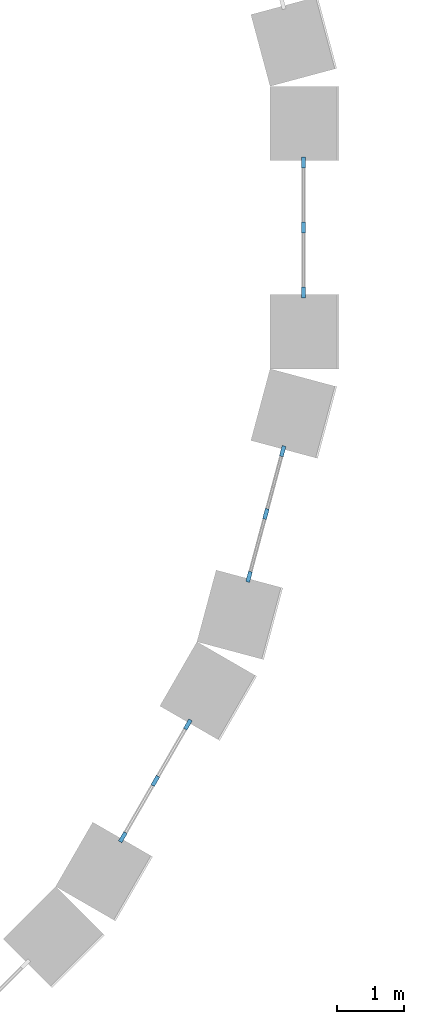
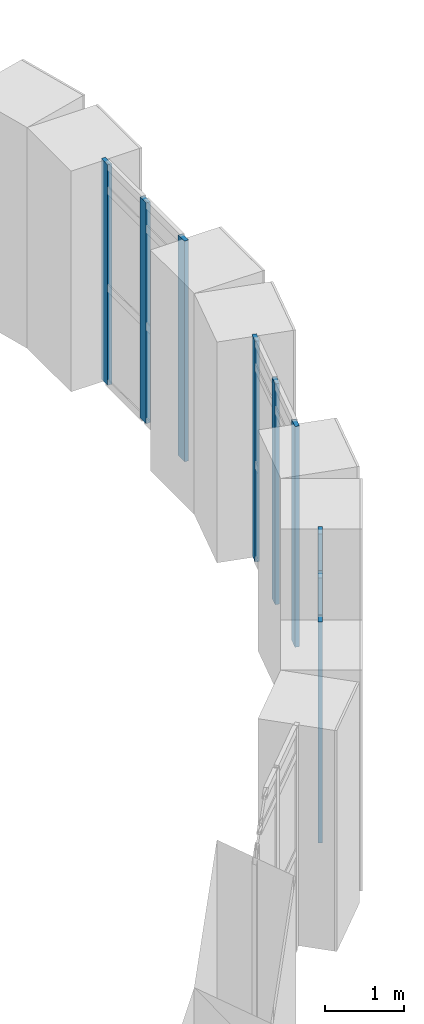
# One storey, part 12 of 42: 9 members, 3 elements without a shape of their own.
"""IFC4 building model written with IfcOpenShell, lengths in metres."""

import ifcopenshell
import ifcopenshell.guid

model = None  # the IFC model being written
_history = None  # IfcOwnerHistory: only IFC2X3 demands one
_inside = {}  # id of a spatial element -> (the spatial element, [elements in it])
_under = {}  # id of a project, library or spatial element -> (it, [spatial elements below it])
_declared = {}  # id of a project -> (the project, [libraries it declares])
_typed = {}  # id of a type object -> (the type object, [elements of that type])
_made_of = {}  # id of a material, layer set ... -> (it, [elements and type objects made of it])


def new_model(schema):
    """Start an empty IFC model of exactly this schema.

    Asked for "IFC4X3", IfcOpenShell would pick the latest addendum, in which some entities
    have other attributes; the version numbers below select the first issue.
    IFC2X3 requires an IfcOwnerHistory on every rooted entity: one is made here for all.
    """
    global model, _history
    if schema == "IFC4X3":
        model = ifcopenshell.file(schema_version=(4, 3, 0, 0))
    else:
        model = ifcopenshell.file(schema=schema)
    _inside.clear()
    _under.clear()
    _declared.clear()
    _typed.clear()
    _made_of.clear()
    _history = None
    if model.schema == "IFC2X3":
        org = make("IfcOrganization", Name="unknown")
        user = make(
            "IfcPersonAndOrganization",
            ThePerson=make("IfcPerson", FamilyName="unknown"),
            TheOrganization=org,
        )
        app = make(
            "IfcApplication",
            ApplicationDeveloper=org,
            Version="unknown",
            ApplicationFullName="unknown",
            ApplicationIdentifier="unknown",
        )
        _history = make(
            "IfcOwnerHistory",
            OwningUser=user,
            OwningApplication=app,
            ChangeAction="ADDED",
            CreationDate=0,
        )
    return model


def make(cls, **values):
    """One entity of the class cls with the attributes given. An attribute that is None is left unset."""
    return model.create_entity(
        cls, **{name: value for name, value in values.items() if value is not None}
    )


def rooted(cls, **values):
    """An entity with a GlobalId (a new one), such as an element, a storey or a relation."""
    return make(cls, GlobalId=ifcopenshell.guid.new(), OwnerHistory=_history, **values)


def si_unit(unit_type, name, prefix=None):
    """IfcSIUnit, for example si_unit("LENGTHUNIT", "METRE", prefix="MILLI")."""
    return make("IfcSIUnit", UnitType=unit_type, Prefix=prefix, Name=name)


def assignment(units):
    """IfcUnitAssignment: the units of a project."""
    return None if units is None else make("IfcUnitAssignment", Units=units)


def point(xyz):
    """IfcCartesianPoint."""
    return None if xyz is None else make("IfcCartesianPoint", Coordinates=xyz)


def direction(xyz):
    """IfcDirection."""
    return None if xyz is None else make("IfcDirection", DirectionRatios=xyz)


def frame(location, z_axis=None, x_axis=None):
    """IfcAxis2Placement3D, a coordinate frame: its origin and axes. An axis left out is left unset."""
    return make(
        "IfcAxis2Placement3D",
        Location=point(location),
        Axis=direction(z_axis),
        RefDirection=direction(x_axis),
    )


def frame_2d(location, x_axis=None):
    """IfcAxis2Placement2D, a coordinate frame in the plane: its origin and x axis."""
    return make(
        "IfcAxis2Placement2D", Location=point(location), RefDirection=direction(x_axis)
    )


def origin():
    """The frame at (0, 0, 0) with its axes left unset."""
    return frame((0.0, 0.0, 0.0))


def origin_2d():
    """The frame at (0, 0) in the plane with its x axis left unset."""
    return frame_2d((0.0, 0.0))


def place(relative_to, where):
    """IfcLocalPlacement: puts the frame where relative to a parent placement (None: the world)."""
    return make(
        "IfcLocalPlacement", PlacementRelTo=relative_to, RelativePlacement=where
    )


def context(
    kind, dimensions, precision=None, world=None, true_north=None, identifier=None
):
    """IfcGeometricRepresentationContext, for example the 3D "Model" context."""
    return make(
        "IfcGeometricRepresentationContext",
        ContextIdentifier=identifier,
        ContextType=kind,
        CoordinateSpaceDimension=dimensions,
        Precision=precision,
        WorldCoordinateSystem=world,
        TrueNorth=true_north,
    )


def subcontext(parent, identifier, kind, view, scale=None):
    """IfcGeometricRepresentationSubContext, for example "Body" below "Model"."""
    return make(
        "IfcGeometricRepresentationSubContext",
        ContextIdentifier=identifier,
        ContextType=kind,
        ParentContext=parent,
        TargetScale=scale,
        TargetView=view,
    )


def project(units=None, contexts=None):
    """IfcProject with its units and contexts."""
    return rooted(
        "IfcProject",
        Name="project",
        RepresentationContexts=contexts,
        UnitsInContext=assignment(units),
    )


def spatial(cls, under=None, at=None, **own):
    """A site, building, storey or space (cls), placed at a placement, below another one or the project."""
    s = rooted(cls, ObjectPlacement=at, **own)
    if under is not None:
        _under.setdefault(under.id(), (under, []))[1].append(s)
    return s


def profile(cls, at=None, kind="AREA", **sizes):
    """A parametric profile (cls). Its sizes go by their IFC names, for example OverallWidth=200.0."""
    return make(cls, ProfileType=kind, Position=at, **sizes)


def rectangle(**sizes):
    """IfcRectangleProfileDef."""
    return profile("IfcRectangleProfileDef", **sizes)


def extrude(swept, where, along, depth):
    """IfcExtrudedAreaSolid: the profile swept, set in the frame where, extruded along a direction by depth."""
    return make(
        "IfcExtrudedAreaSolid",
        SweptArea=swept,
        Position=where,
        ExtrudedDirection=direction(along),
        Depth=depth,
    )


def shape(context_of_items, identifier, shape_type, items):
    """IfcShapeRepresentation: the items that make up one representation, for example the "Body"."""
    return make(
        "IfcShapeRepresentation",
        ContextOfItems=context_of_items,
        RepresentationIdentifier=identifier,
        RepresentationType=shape_type,
        Items=items,
    )


def material(Name=None, Category=None):
    """IfcMaterial."""
    return make("IfcMaterial", Name=Name, Category=Category)


def layer(
    of_material, thickness, ventilated=None, Name=None, Category=None, Priority=None
):
    """IfcMaterialLayer: one layer of a wall or slab, of a material (None: an air gap)."""
    return make(
        "IfcMaterialLayer",
        Material=of_material,
        LayerThickness=thickness,
        IsVentilated=ventilated,
        Name=Name,
        Category=Category,
        Priority=Priority,
    )


def layer_set(layers, Name=None):
    """IfcMaterialLayerSet."""
    return make("IfcMaterialLayerSet", MaterialLayers=layers, LayerSetName=Name)


def material_profile(
    of_material, cross_section, Name=None, Category=None, Priority=None
):
    """IfcMaterialProfile: a cross section and its material."""
    return make(
        "IfcMaterialProfile",
        Name=Name,
        Material=of_material,
        Profile=cross_section,
        Priority=Priority,
        Category=Category,
    )


def profile_set(profiles, Name=None, composite=None):
    """IfcMaterialProfileSet."""
    return make(
        "IfcMaterialProfileSet",
        Name=Name,
        MaterialProfiles=profiles,
        CompositeProfile=composite,
    )


def made_of(thing, what):
    """Note that an element or type object is made of a material, layer set ...; save() writes the relation."""
    if what is not None:
        _made_of.setdefault(what.id(), (what, []))[1].append(thing)
    return thing


def type_object(cls, material=None, **own):
    """A type object (cls), such as IfcWallType, which elements share."""
    return made_of(rooted(cls, **own), material)


def element(
    cls,
    number,
    at=None,
    inside=None,
    cuts=None,
    type_object=None,
    material=None,
    context=None,
    identifier="Body",
    shape_type=None,
    held_by="IfcProductDefinitionShape",
    body=None,
    shapes=None,
    **own,
):
    """One element of the class cls, such as IfcWall. Its Tag is "e" and its number.

    at: its placement. inside: the storey or other place that contains it. cuts: it is an
    opening in that element (IfcRelVoidsElement). A single representation is given by context,
    identifier, shape_type and body (its items); several are given by shapes. held_by: the class
    of the entity that holds the representations. save() writes the other relations.
    """
    e = rooted(cls, Tag="e%d" % number, ObjectPlacement=at, **own)
    if body is not None:
        shapes = [shape(context, identifier, shape_type, body)]
    if shapes is not None:
        e.Representation = make(held_by, Representations=shapes)
    if inside is not None:
        _inside.setdefault(inside.id(), (inside, []))[1].append(e)
    if cuts is not None:
        rooted(
            "IfcRelVoidsElement", RelatingBuildingElement=cuts, RelatedOpeningElement=e
        )
    if type_object is not None:
        _typed.setdefault(type_object.id(), (type_object, []))[1].append(e)
    return made_of(e, material)


def aggregate(whole, parts):
    """IfcRelAggregates: a whole, such as a stair, and the parts it consists of."""
    return rooted("IfcRelAggregates", RelatingObject=whole, RelatedObjects=parts)


def save(model, path):
    """Write the relations noted so far, then the file.

    IfcRelAggregates (storeys below a building ...), IfcRelContainedInSpatialStructure (elements
    in a storey), IfcRelDefinesByType, IfcRelAssociatesMaterial and IfcRelDeclares: one each for
    every whole, place, type object, material and project.
    """
    for whole, parts in _under.values():
        aggregate(whole, parts)
    for where, things in _inside.values():
        rooted(
            "IfcRelContainedInSpatialStructure",
            RelatedElements=things,
            RelatingStructure=where,
        )
    for kind, things in _typed.values():
        rooted("IfcRelDefinesByType", RelatedObjects=things, RelatingType=kind)
    for what, things in _made_of.values():
        rooted("IfcRelAssociatesMaterial", RelatedObjects=things, RelatingMaterial=what)
    for by, libraries in _declared.values():
        rooted("IfcRelDeclares", RelatingContext=by, RelatedDefinitions=libraries)
    model.write(path)


model = new_model("IFC4")

# Units and contexts
model_context = context("Model", 3, precision=1e-05, world=origin(), true_north=direction((0.0, 1.0)))
body_context = subcontext(model_context, "Body", "Model", "MODEL_VIEW")
ifc_project = project(units=[si_unit("LENGTHUNIT", "METRE"), si_unit("AREAUNIT", "SQUARE_METRE"), si_unit("VOLUMEUNIT", "CUBIC_METRE"), si_unit("PLANEANGLEUNIT", "RADIAN"), si_unit("MASSUNIT", "GRAM", prefix="KILO")], contexts=[model_context])

# Site, building, storey
site_placement = place(None, origin())
site = spatial("IfcSite", under=ifc_project, at=site_placement, CompositionType="ELEMENT")
building_placement = place(site_placement, origin())
building = spatial("IfcBuilding", under=site, at=building_placement, Name="Golden Quay Civic Hall", CompositionType="ELEMENT")
storey_placement = place(building_placement, frame((0.0, 0.0, 22.800048828125)))
storey = spatial("IfcBuildingStorey", under=building, at=storey_placement, Name="L05", CompositionType="ELEMENT", Elevation=22.800048828125)

# Curtain wall, members
ifc_material_1 = material(Name="Glass, laminated double glazed", Category="glass")
ifc_layer = layer(ifc_material_1, 0.199951171875)
ifc_layer_set = layer_set([ifc_layer], Name="Glazed drum clerestory curtain wall")
curtain_wall_type = type_object("IfcCurtainWallType", Name="Glazed drum clerestory curtain wall", PredefinedType="NOTDEFINED", material=ifc_layer_set)
curtain_wall_1_placement = place(storey_placement, origin())
curtain_wall_1 = element("IfcCurtainWall", 1, at=curtain_wall_1_placement, inside=storey, type_object=curtain_wall_type, Name="Clerestory curtain wall 22", PredefinedType="NOTDEFINED")
ifc_material_2 = material(Name="Aluminium, anodised", Category="aluminium")
ifc_material_profile = material_profile(ifc_material_2, rectangle(XDim=0.06005859375, YDim=0.159912109375, at=origin_2d()), Name="Aluminium 60 x 160")
ifc_profile_set = profile_set([ifc_material_profile], Name="Aluminium, anodised")
member_type = type_object("IfcMemberType", Name="Aluminium mullion 60 x 160", PredefinedType="MULLION", material=ifc_profile_set)
member_1_placement = place(storey_placement, frame((99.304443359375, 76.409912109375, 0.300048828125), z_axis=(0.0, 0.0, 1.0), x_axis=(-0.866019052627, 0.500011000366, 0.0)))
member_1 = element("IfcMember", 2, at=member_1_placement, type_object=member_type, Name="CW5 mullion 1", PredefinedType="MULLION", context=body_context, shape_type="SweptSolid", body=[
    extrude(rectangle(XDim=0.06005859375, YDim=0.159912109375, at=origin_2d()), origin(), (0.0, 0.0, 1.0), 3.39990234375),
])
member_2_placement = place(storey_placement, frame((99.789306640625, 77.25, 0.300048828125), z_axis=(0.0, 0.0, 1.0), x_axis=(-0.866019052627, 0.500011000366, 0.0)))
member_2 = element("IfcMember", 3, at=member_2_placement, type_object=member_type, Name="CW5 mullion 2", PredefinedType="MULLION", context=body_context, shape_type="SweptSolid", body=[
    extrude(rectangle(XDim=0.06005859375, YDim=0.159912109375, at=origin_2d()), origin(), (0.0, 0.0, 1.0), 3.39990234375),
])
member_3_placement = place(storey_placement, frame((100.2744140625, 78.090087890625, 0.300048828125), z_axis=(0.0, 0.0, 1.0), x_axis=(-0.866019052627, 0.500011000366, 0.0)))
member_3 = element("IfcMember", 4, at=member_3_placement, type_object=member_type, Name="CW5 mullion 3", PredefinedType="MULLION", context=body_context, shape_type="SweptSolid", body=[
    extrude(rectangle(XDim=0.06005859375, YDim=0.159912109375, at=origin_2d()), origin(), (0.0, 0.0, 1.0), 3.39990234375),
])
aggregate(curtain_wall_1, [member_1, member_2, member_3])

curtain_wall_2_placement = place(storey_placement, origin())
curtain_wall_2 = element("IfcCurtainWall", 5, at=curtain_wall_2_placement, inside=storey, type_object=curtain_wall_type, Name="Clerestory curtain wall 23", PredefinedType="NOTDEFINED")
member_4_placement = place(storey_placement, frame((101.186767578125, 80.29248046875, 0.300048828125), z_axis=(0.0, 0.0, 1.0), x_axis=(-0.965928857556, 0.258807731996, 0.0)))
member_4 = element("IfcMember", 6, at=member_4_placement, type_object=member_type, Name="CW5 mullion 1", PredefinedType="MULLION", context=body_context, shape_type="SweptSolid", body=[
    extrude(rectangle(XDim=0.06005859375, YDim=0.159912109375, at=origin_2d()), origin(), (0.0, 0.0, 1.0), 3.39990234375),
])
member_5_placement = place(storey_placement, frame((101.437744140625, 81.2294921875, 0.300048828125), z_axis=(0.0, 0.0, 1.0), x_axis=(-0.965928857556, 0.258807731996, 0.0)))
member_5 = element("IfcMember", 7, at=member_5_placement, type_object=member_type, Name="CW5 mullion 2", PredefinedType="MULLION", context=body_context, shape_type="SweptSolid", body=[
    extrude(rectangle(XDim=0.06005859375, YDim=0.159912109375, at=origin_2d()), origin(), (0.0, 0.0, 1.0), 3.39990234375),
])
member_6_placement = place(storey_placement, frame((101.688720703125, 82.16650390625, 0.300048828125), z_axis=(0.0, 0.0, 1.0), x_axis=(-0.965928857556, 0.258807731996, 0.0)))
member_6 = element("IfcMember", 8, at=member_6_placement, type_object=member_type, Name="CW5 mullion 3", PredefinedType="MULLION", context=body_context, shape_type="SweptSolid", body=[
    extrude(rectangle(XDim=0.06005859375, YDim=0.159912109375, at=origin_2d()), origin(), (0.0, 0.0, 1.0), 3.39990234375),
])
aggregate(curtain_wall_2, [member_4, member_5, member_6])

curtain_wall_3_placement = place(storey_placement, origin())
curtain_wall_3 = element("IfcCurtainWall", 9, at=curtain_wall_3_placement, inside=storey, type_object=curtain_wall_type, Name="Clerestory curtain wall 24", PredefinedType="NOTDEFINED")
member_7_placement = place(storey_placement, frame((102.0, 84.530029296875, 0.300048828125), z_axis=(0.0, 0.0, 1.0), x_axis=(-1.0, 0.0, 0.0)))
member_7 = element("IfcMember", 10, at=member_7_placement, type_object=member_type, Name="CW5 mullion 1", PredefinedType="MULLION", context=body_context, shape_type="SweptSolid", body=[
    extrude(rectangle(XDim=0.06005859375, YDim=0.159912109375, at=origin_2d()), origin(), (0.0, 0.0, 1.0), 3.39990234375),
])
member_8_placement = place(storey_placement, frame((102.0, 85.5, 0.300048828125), z_axis=(0.0, 0.0, 1.0), x_axis=(-1.0, 0.0, 0.0)))
member_8 = element("IfcMember", 11, at=member_8_placement, type_object=member_type, Name="CW5 mullion 2", PredefinedType="MULLION", context=body_context, shape_type="SweptSolid", body=[
    extrude(rectangle(XDim=0.06005859375, YDim=0.159912109375, at=origin_2d()), origin(), (0.0, 0.0, 1.0), 3.39990234375),
])
member_9_placement = place(storey_placement, frame((102.0, 86.469970703125, 0.300048828125), z_axis=(0.0, 0.0, 1.0), x_axis=(-1.0, 0.0, 0.0)))
member_9 = element("IfcMember", 12, at=member_9_placement, type_object=member_type, Name="CW5 mullion 3", PredefinedType="MULLION", context=body_context, shape_type="SweptSolid", body=[
    extrude(rectangle(XDim=0.06005859375, YDim=0.159912109375, at=origin_2d()), origin(), (0.0, 0.0, 1.0), 3.39990234375),
])
aggregate(curtain_wall_3, [member_7, member_8, member_9])

save(model, "model.ifc")
